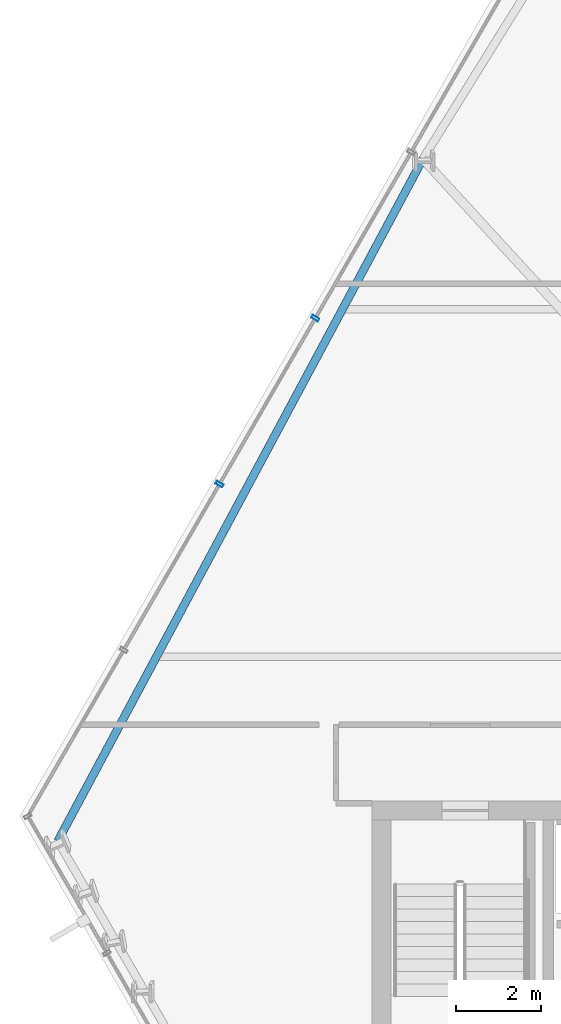
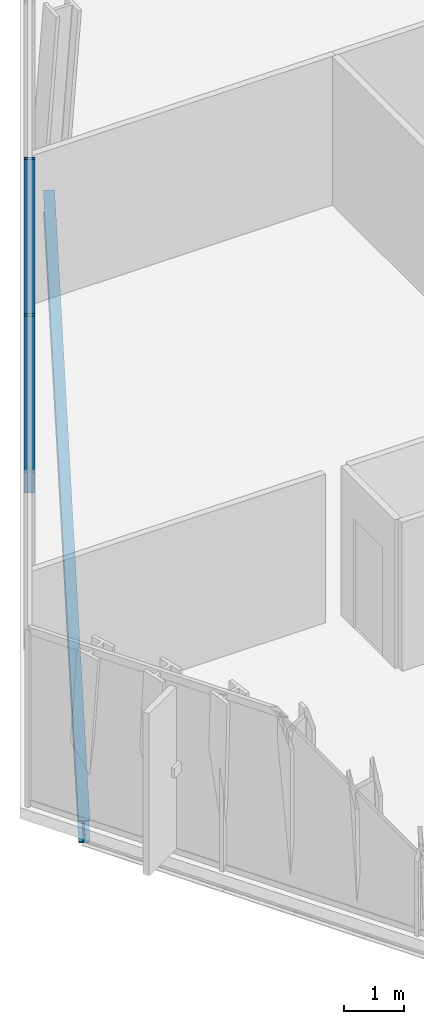
# One storey, part 11 of 32: 2 members, 1 beam, 1 element without a shape of its own.
"""IFC4 building model written with IfcOpenShell, lengths in metres."""

from ifc_helpers import new_model, si_unit, direction, frame, origin, origin_2d, place, context, subcontext, project, spatial, hollow_rectangle, i_section, extrude, material, layer, layer_set, material_profile, profile_set, type_object, element, aggregate, save


model = new_model("IFC4")

# Units and contexts
model_context = context("Model", 3, precision=1e-05, world=origin(), true_north=direction((0.0, 1.0)))
body_context = subcontext(model_context, "Body", "Model", "MODEL_VIEW")
ifc_project = project(units=[si_unit("LENGTHUNIT", "METRE"), si_unit("AREAUNIT", "SQUARE_METRE"), si_unit("VOLUMEUNIT", "CUBIC_METRE"), si_unit("PLANEANGLEUNIT", "RADIAN"), si_unit("MASSUNIT", "GRAM", prefix="KILO")], contexts=[model_context])

# Site, building, storey
site_placement = place(None, origin())
site = spatial("IfcSite", under=ifc_project, at=site_placement, CompositionType="ELEMENT")
building_placement = place(site_placement, origin())
building = spatial("IfcBuilding", under=site, at=building_placement, Name="Ndaravel Arena Tower", CompositionType="ELEMENT")
storey_placement = place(building_placement, frame((0.0, 0.0, 157.39990234375)))
storey = spatial("IfcBuildingStorey", under=building, at=storey_placement, Name="L37", CompositionType="ELEMENT", Elevation=157.39990234375)

# Beam
ifc_material_1 = material(Name="Steel S355", Category="steel")
ifc_material_profile_1 = material_profile(ifc_material_1, i_section(OverallWidth=0.18994140625, OverallDepth=0.449951171875, WebThickness=0.009521484375, FlangeThickness=0.0146484375, FilletRadius=0.02099609375, at=origin_2d()), Name="IPE 450")
ifc_profile_set_1 = profile_set([ifc_material_profile_1], Name="Steel S355")
beam_type = type_object("IfcBeamType", Name="BM-SPAN-IPE450", PredefinedType="SPANDREL", material=ifc_profile_set_1)
beam_placement = place(storey_placement, frame((27.647216796875, 30.339599609375, -0.44482421875), z_axis=(-0.47193833107, -0.881631562313, 0.0), x_axis=(0.881631562313, -0.47193833107, 0.0)))
element("IfcBeam", 1, at=beam_placement, inside=storey, type_object=beam_type, Name="L37 Perimeter Spandrel Beam SP-19", PredefinedType="SPANDREL", context=body_context, shape_type="SweptSolid", body=[
    extrude(i_section(OverallWidth=0.18994140625, OverallDepth=0.449951171875, WebThickness=0.009521484375, FlangeThickness=0.0146484375, FilletRadius=0.02099609375, at=origin_2d()), origin(), (0.0, 0.0, 1.0), 18.238525390625),
])

# Curtain wall, members
ifc_material_2 = material(Name="Aluminium", Category="aluminium")
ifc_layer = layer(ifc_material_2, 0.179931640625)
ifc_layer_set = layer_set([ifc_layer], Name="Aluminium")
curtain_wall_type = type_object("IfcCurtainWallType", Name="CW-SYS-03", PredefinedType="NOTDEFINED", material=ifc_layer_set)
curtain_wall_placement = place(storey_placement, origin())
curtain_wall = element("IfcCurtainWall", 2, at=curtain_wall_placement, inside=storey, type_object=curtain_wall_type, Name="L37 Faceted Crystal Curtain Wall CW-L37-E05", PredefinedType="NOTDEFINED")
ifc_material_3 = material(Name="Aluminium", Category="aluminium")
ifc_material_profile_2 = material_profile(ifc_material_3, hollow_rectangle(XDim=0.074951171875, YDim=0.179931640625, WallThickness=0.00390625, at=origin_2d()), Name="CW MULLION 75x180x4")
ifc_profile_set_2 = profile_set([ifc_material_profile_2], Name="Aluminium")
member_type = type_object("IfcMemberType", Name="MEM-CW-MUL180", PredefinedType="MULLION", material=ifc_profile_set_2)
member_1_placement = place(storey_placement, frame((25.110595703125, 26.5859375, 0.0), z_axis=(0.0, 0.0, 1.0), x_axis=(-0.5, -0.866025403784, 0.0)))
member_1 = element("IfcMember", 3, at=member_1_placement, type_object=member_type, Name="CW-L37-E05 Mullion 05", PredefinedType="MULLION", context=body_context, shape_type="SweptSolid", body=[
    extrude(hollow_rectangle(XDim=0.074951171875, YDim=0.179931640625, WallThickness=0.00390625, at=origin_2d()), origin(), (0.0, 0.0, 1.0), 3.580078125),
])
member_2_placement = place(storey_placement, frame((22.851318359375, 22.672607421875, 0.0), z_axis=(0.0, 0.0, 1.0), x_axis=(-0.5, -0.866025403784, 0.0)))
member_2 = element("IfcMember", 4, at=member_2_placement, type_object=member_type, Name="CW-L37-E05 Mullion 06", PredefinedType="MULLION", context=body_context, shape_type="SweptSolid", body=[
    extrude(hollow_rectangle(XDim=0.074951171875, YDim=0.179931640625, WallThickness=0.00390625, at=origin_2d()), origin(), (0.0, 0.0, 1.0), 3.580078125),
])
aggregate(curtain_wall, [member_1, member_2])

save(model, "model.ifc")
